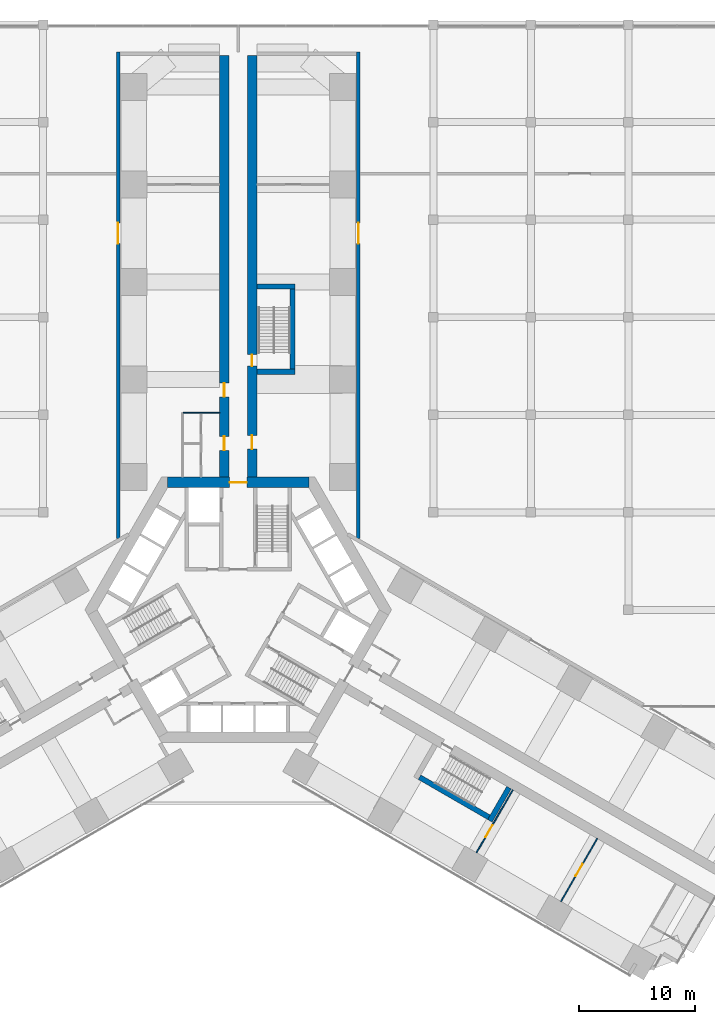
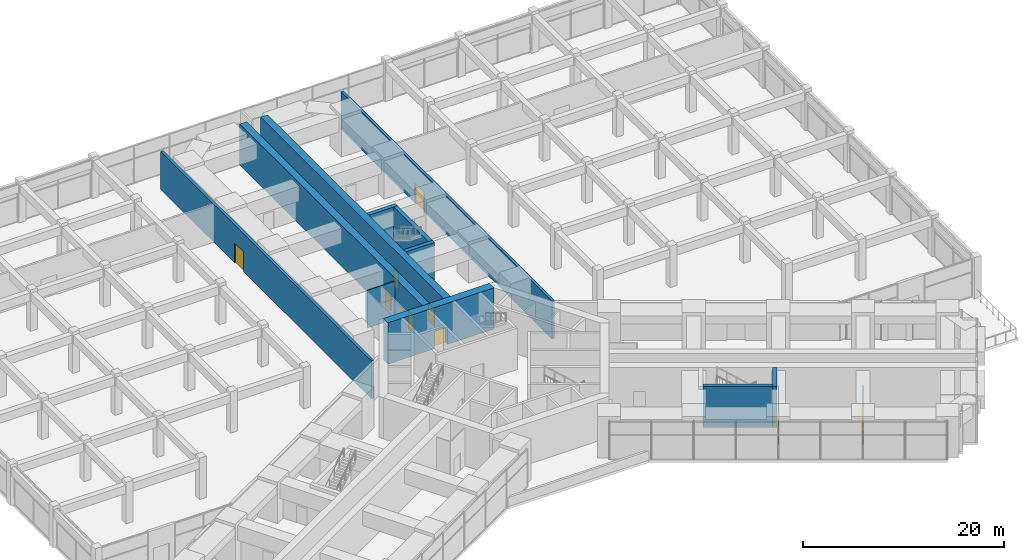
# One storey, part 29 of 33: 13 walls, 9 doors, 9 openings.
"""IFC4 building model written with IfcOpenShell, lengths in metres."""

from ifc_helpers import new_model, si_unit, direction, frame, frame_2d, origin, place, context, subcontext, project, spatial, rectangle, extrude, material, layer, layer_set, type_object, element, fill, save


model = new_model("IFC4")

# Units and contexts
model_context = context("Model", 3, precision=1e-05, world=origin(), true_north=direction((0.0, 1.0)))
body_context = subcontext(model_context, "Body", "Model", "MODEL_VIEW")
ifc_project = project(units=[si_unit("LENGTHUNIT", "METRE"), si_unit("AREAUNIT", "SQUARE_METRE"), si_unit("VOLUMEUNIT", "CUBIC_METRE"), si_unit("PLANEANGLEUNIT", "RADIAN"), si_unit("MASSUNIT", "GRAM", prefix="KILO")], contexts=[model_context])

# Site, building, storey
site_placement = place(None, origin())
site = spatial("IfcSite", under=ifc_project, at=site_placement, CompositionType="ELEMENT")
building_placement = place(site_placement, origin())
building = spatial("IfcBuilding", under=site, at=building_placement, Name="Impinga Residences", CompositionType="ELEMENT")
storey_placement = place(building_placement, frame((0.0, 0.0, 21.0)))
storey = spatial("IfcBuildingStorey", under=building, at=storey_placement, Name="L04", CompositionType="ELEMENT", Elevation=21.0)

# Wall, openings, doors
ifc_material_1 = material(Name="Concrete C70/85", Category="concrete")
ifc_layer_1 = layer(ifc_material_1, 0.800048828125)
ifc_layer_set_1 = layer_set([ifc_layer_1], Name="Concrete C70/85")
wall_type_1 = type_object("IfcWallType", Name="BW0 corridor buttress wall, B3 to L04 800", PredefinedType="SHEAR", material=ifc_layer_set_1)
wall_1_placement = place(storey_placement, frame((-1.199951171875, 10.9814453125, 0.0), z_axis=(0.0, 0.0, 1.0), x_axis=(0.0, 1.0, 0.0)))
wall_1 = element("IfcWall", 1, at=wall_1_placement, inside=storey, type_object=wall_type_1, Name="Corridor wall BW0 NC L04", PredefinedType="SHEAR", context=body_context, shape_type="SweptSolid", body=[
    extrude(rectangle(XDim=36.75, YDim=0.800048828125, at=frame_2d((18.375, 0.0))), origin(), (0.0, 0.0, 1.0), 5.0),
])
opening_1_placement = place(wall_1_placement, frame((2.75, 0.0, 0.0)))
opening_1 = element("IfcOpeningElement", 2, at=opening_1_placement, cuts=wall_1, Name="Opening D3", PredefinedType="OPENING", context=body_context, shape_type="SweptSolid", body=[
    extrude(rectangle(XDim=1.199951171875, YDim=2.10009765625, at=frame_2d((0.60009765625, 1.050048828125))), frame((0.0, 0.409912109375, 0.0), z_axis=(0.0, -1.0, 0.0), x_axis=(1.0, 0.0, 0.0)), (0.0, 0.0, 1.0), 0.820068359375),
])
opening_2_placement = place(wall_1_placement, frame((7.35009765625, 0.0, 0.0)))
opening_2 = element("IfcOpeningElement", 3, at=opening_2_placement, cuts=wall_1, Name="Opening D3", PredefinedType="OPENING", context=body_context, shape_type="SweptSolid", body=[
    extrude(rectangle(XDim=1.199951171875, YDim=2.10009765625, at=frame_2d((0.60009765625, 1.050048828125))), frame((0.0, 0.409912109375, 0.0), z_axis=(0.0, -1.0, 0.0), x_axis=(1.0, 0.0, 0.0)), (0.0, 0.0, 1.0), 0.820068359375),
])
ifc_material_2 = material(Name="Timber door set", Category="wood")
door_type_1 = type_object("IfcDoorType", Name="D3 room door, leaf and a half 1200x2100", OperationType="DOUBLE_SWING_LEFT", PredefinedType="DOOR", material=ifc_material_2)
door_1_placement = place(opening_1_placement, origin())
door_1 = element("IfcDoor", 4, at=door_1_placement, inside=storey, type_object=door_type_1, Name="WC lobby door L04-NA1", OperationType="DOUBLE_SWING_LEFT", OverallHeight=2.10009765625, OverallWidth=1.199951171875, PredefinedType="DOOR", context=body_context, shape_type="SweptSolid", body=[
    extrude(rectangle(XDim=1.199951171875, YDim=2.10009765625, at=frame_2d((0.60009765625, 1.050048828125))), frame((0.0, 0.02490234375, 0.0), z_axis=(0.0, -1.0, 0.0), x_axis=(1.0, 0.0, 0.0)), (0.0, 0.0, 1.0), 0.050048828125),
])
fill(opening_1, door_1)
door_2_placement = place(opening_2_placement, origin())
door_2 = element("IfcDoor", 5, at=door_2_placement, inside=storey, type_object=door_type_1, Name="Library lounge door L04-NA1", OperationType="DOUBLE_SWING_LEFT", OverallHeight=2.10009765625, OverallWidth=1.199951171875, PredefinedType="DOOR", context=body_context, shape_type="SweptSolid", body=[
    extrude(rectangle(XDim=1.199951171875, YDim=2.10009765625, at=frame_2d((0.60009765625, 1.050048828125))), frame((0.0, 0.02490234375, 0.0), z_axis=(0.0, -1.0, 0.0), x_axis=(1.0, 0.0, 0.0)), (0.0, 0.0, 1.0), 0.050048828125),
])
fill(opening_2, door_2)

wall_2_placement = place(storey_placement, frame((1.199951171875, 10.9814453125, 0.0), z_axis=(0.0, 0.0, 1.0), x_axis=(0.0, 1.0, 0.0)))
wall_2 = element("IfcWall", 6, at=wall_2_placement, inside=storey, type_object=wall_type_1, Name="Corridor wall BW0 ND L04", PredefinedType="SHEAR", context=body_context, shape_type="SweptSolid", body=[
    extrude(rectangle(XDim=36.75, YDim=0.800048828125, at=frame_2d((18.375, 0.0))), origin(), (0.0, 0.0, 1.0), 5.0),
])
opening_3_placement = place(wall_2_placement, frame((10.0, 0.0, 0.0)))
opening_3 = element("IfcOpeningElement", 7, at=opening_3_placement, cuts=wall_2, Name="Opening D5", PredefinedType="OPENING", context=body_context, shape_type="SweptSolid", body=[
    extrude(rectangle(XDim=1.0, YDim=2.10009765625, at=frame_2d((0.5, 1.050048828125))), frame((0.0, 0.409912109375, 0.0), z_axis=(0.0, -1.0, 0.0), x_axis=(1.0, 0.0, 0.0)), (0.0, 0.0, 1.0), 0.820068359375),
])
opening_4_placement = place(wall_2_placement, frame((2.85009765625, 0.0, 0.0)))
opening_4 = element("IfcOpeningElement", 8, at=opening_4_placement, cuts=wall_2, Name="Opening D3", PredefinedType="OPENING", context=body_context, shape_type="SweptSolid", body=[
    extrude(rectangle(XDim=1.199951171875, YDim=2.10009765625, at=frame_2d((0.60009765625, 1.050048828125))), frame((0.0, 0.409912109375, 0.0), z_axis=(0.0, -1.0, 0.0), x_axis=(1.0, 0.0, 0.0)), (0.0, 0.0, 1.0), 0.820068359375),
])
door_3_placement = place(opening_4_placement, origin())
door_3 = element("IfcDoor", 9, at=door_3_placement, inside=storey, type_object=door_type_1, Name="Studio door L04-NF1", OperationType="DOUBLE_SWING_LEFT", OverallHeight=2.10009765625, OverallWidth=1.199951171875, PredefinedType="DOOR", context=body_context, shape_type="SweptSolid", body=[
    extrude(rectangle(XDim=1.199951171875, YDim=2.10009765625, at=frame_2d((0.60009765625, 1.050048828125))), frame((0.0, 0.02490234375, 0.0), z_axis=(0.0, -1.0, 0.0), x_axis=(1.0, 0.0, 0.0)), (0.0, 0.0, 1.0), 0.050048828125),
])
fill(opening_4, door_3)
door_type_2 = type_object("IfcDoorType", Name="D5 stair door 1000x2100", OperationType="SINGLE_SWING_LEFT", PredefinedType="DOOR", material=ifc_material_2)
door_4_placement = place(opening_3_placement, origin())
door_4 = element("IfcDoor", 10, at=door_4_placement, inside=storey, type_object=door_type_2, Name="Wing stair door N", OperationType="SINGLE_SWING_LEFT", OverallHeight=2.10009765625, OverallWidth=1.0, PredefinedType="DOOR", context=body_context, shape_type="SweptSolid", body=[
    extrude(rectangle(XDim=1.0, YDim=2.10009765625, at=frame_2d((0.5, 1.050048828125))), frame((0.0, 0.02490234375, 0.0), z_axis=(0.0, -1.0, 0.0), x_axis=(1.0, 0.0, 0.0)), (0.0, 0.0, 1.0), 0.050048828125),
])
fill(opening_3, door_4)

# Wall, opening, door
ifc_material_3 = material(Name="Concrete blockwork", Category="masonry")
ifc_layer_2 = layer(ifc_material_3, 0.10009765625)
ifc_layer_set_2 = layer_set([ifc_layer_2], Name="CP1 core room partition, blockwork 100")
wall_type_2 = type_object("IfcWallType", Name="CP1 core room partition, blockwork 100", PredefinedType="PARTITIONING", material=ifc_layer_set_2)
wall_3_placement = place(storey_placement, frame((23.649169921875, -15.50146484375, 0.0), z_axis=(0.0, 0.0, 1.0), x_axis=(-0.500004234368, -0.866022959057, 0.0)))
wall_3 = element("IfcWall", 11, at=wall_3_placement, inside=storey, type_object=wall_type_2, Name="Core room partition, blockwork L04-EF1:PS1", PredefinedType="PARTITIONING", context=body_context, shape_type="SweptSolid", body=[
    extrude(rectangle(XDim=6.25, YDim=0.10009765625, at=frame_2d((3.125, 0.0))), origin(), (0.0, 0.0, 1.0), 2.800048828125),
])
opening_5_placement = place(wall_3_placement, frame((3.52490234375, 0.0, 0.0)))
opening_5 = element("IfcOpeningElement", 12, at=opening_5_placement, cuts=wall_3, Name="Opening D3", PredefinedType="OPENING", context=body_context, shape_type="SweptSolid", body=[
    extrude(rectangle(XDim=1.199951171875, YDim=2.10009765625, at=frame_2d((0.60009765625, 1.050048828125))), frame((0.0, 0.06005859375, 0.0), z_axis=(0.0, -1.0, 0.0), x_axis=(1.0, 0.0, 0.0)), (0.0, 0.0, 1.0), 0.1201171875),
])
door_5_placement = place(opening_5_placement, origin())
door_5 = element("IfcDoor", 13, at=door_5_placement, inside=storey, type_object=door_type_1, Name="Staff lockers door L04-EF1", OperationType="DOUBLE_SWING_LEFT", OverallHeight=2.10009765625, OverallWidth=1.199951171875, PredefinedType="DOOR", context=body_context, shape_type="SweptSolid", body=[
    extrude(rectangle(XDim=1.199951171875, YDim=2.10009765625, at=frame_2d((0.60009765625, 1.050048828125))), frame((0.0, 0.02490234375, 0.0), z_axis=(0.0, -1.0, 0.0), x_axis=(1.0, 0.0, 0.0)), (0.0, 0.0, 1.0), 0.050048828125),
])
fill(opening_5, door_5)

wall_4_placement = place(storey_placement, frame((30.923828125, -19.701416015625, 0.0), z_axis=(0.0, 0.0, 1.0), x_axis=(-0.500004234368, -0.866022959057, 0.0)))
wall_4 = element("IfcWall", 14, at=wall_4_placement, inside=storey, type_object=wall_type_2, Name="Core room partition, blockwork L04-EF1:PS2", PredefinedType="PARTITIONING", context=body_context, shape_type="SweptSolid", body=[
    extrude(rectangle(XDim=6.25, YDim=0.10009765625, at=frame_2d((3.125, 0.0))), origin(), (0.0, 0.0, 1.0), 2.800048828125),
])
opening_6_placement = place(wall_4_placement, frame((2.52490234375, 0.0, 0.0)))
opening_6 = element("IfcOpeningElement", 15, at=opening_6_placement, cuts=wall_4, Name="Opening D3", PredefinedType="OPENING", context=body_context, shape_type="SweptSolid", body=[
    extrude(rectangle(XDim=1.199951171875, YDim=2.10009765625, at=frame_2d((0.60009765625, 1.050048828125))), frame((0.0, 0.06005859375, 0.0), z_axis=(0.0, -1.0, 0.0), x_axis=(1.0, 0.0, 0.0)), (0.0, 0.0, 1.0), 0.1201171875),
])
door_6_placement = place(opening_6_placement, origin())
door_6 = element("IfcDoor", 16, at=door_6_placement, inside=storey, type_object=door_type_1, Name="Staff changing room door L04-EF1", OperationType="DOUBLE_SWING_LEFT", OverallHeight=2.10009765625, OverallWidth=1.199951171875, PredefinedType="DOOR", context=body_context, shape_type="SweptSolid", body=[
    extrude(rectangle(XDim=1.199951171875, YDim=2.10009765625, at=frame_2d((0.60009765625, 1.050048828125))), frame((0.0, 0.02490234375, 0.0), z_axis=(0.0, -1.0, 0.0), x_axis=(1.0, 0.0, 0.0)), (0.0, 0.0, 1.0), 0.050048828125),
])
fill(opening_6, door_6)

# Wall
ifc_material_4 = material(Name="Gypsum board on steel studs", Category="steel")
ifc_layer_3 = layer(ifc_material_4, 0.10009765625)
ifc_layer_set_3 = layer_set([ifc_layer_3], Name="Gypsum board on steel studs")
wall_type_3 = type_object("IfcWallType", Name="IP1 partition 100", PredefinedType="PARTITIONING", material=ifc_layer_set_3)
wall_5_placement = place(storey_placement, frame((-1.60009765625, 16.9814453125, 0.0), z_axis=(0.0, 0.0, 1.0), x_axis=(-1.0, 0.0, 0.0)))
element("IfcWall", 17, at=wall_5_placement, inside=storey, type_object=wall_type_3, Name="Partition L04-NA1:T3", PredefinedType="PARTITIONING", context=body_context, shape_type="SweptSolid", body=[
    extrude(rectangle(XDim=3.14990234375, YDim=0.10009765625, at=frame_2d((1.574951171875, 0.0))), origin(), (0.0, 0.0, 1.0), 4.60009765625),
])

# Wall, opening, door
ifc_layer_4 = layer(ifc_material_3, 0.300048828125)
ifc_layer_set_4 = layer_set([ifc_layer_4], Name="PW3 podium wall on the wing face 300")
wall_type_4 = type_object("IfcWallType", Name="PW3 podium wall on the wing face 300", PredefinedType="SOLIDWALL", material=ifc_layer_set_4)
wall_6_placement = place(storey_placement, frame((-10.35009765625, 6.148681640625, 0.0), z_axis=(0.0, 0.0, 1.0), x_axis=(0.0, 1.0, 0.0)))
wall_6 = element("IfcWall", 18, at=wall_6_placement, inside=storey, type_object=wall_type_4, Name="Podium wall on the wing face L04:SIDE:NA0", PredefinedType="SOLIDWALL", context=body_context, shape_type="SweptSolid", body=[
    extrude(rectangle(XDim=41.8828125, YDim=0.300048828125, at=frame_2d((20.94140625, 0.0))), origin(), (0.0, 0.0, 1.0), 4.60009765625),
])
opening_7_placement = place(wall_6_placement, frame((25.3828125, 0.0, 0.0)))
opening_7 = element("IfcOpeningElement", 19, at=opening_7_placement, cuts=wall_6, Name="Opening D7", PredefinedType="OPENING", context=body_context, shape_type="SweptSolid", body=[
    extrude(rectangle(XDim=1.800048828125, YDim=2.39990234375, at=frame_2d((0.89990234375, 1.199951171875))), frame((0.0, 0.159912109375, 0.0), z_axis=(0.0, -1.0, 0.0), x_axis=(1.0, 0.0, 0.0)), (0.0, 0.0, 1.0), 0.320068359375),
])
door_type_3 = type_object("IfcDoorType", Name="D7 podium door pair 1800x2400", OperationType="DOUBLE_DOOR_DOUBLE_SWING", PredefinedType="DOOR", material=ifc_material_2)
door_7_placement = place(opening_7_placement, origin())
door_7 = element("IfcDoor", 20, at=door_7_placement, inside=storey, type_object=door_type_3, Name="Double door NA", OperationType="DOUBLE_DOOR_DOUBLE_SWING", OverallHeight=2.39990234375, OverallWidth=1.800048828125, PredefinedType="DOOR", context=body_context, shape_type="SweptSolid", body=[
    extrude(rectangle(XDim=1.800048828125, YDim=2.39990234375, at=frame_2d((0.89990234375, 1.199951171875))), frame((0.0, 0.02490234375, 0.0), z_axis=(0.0, -1.0, 0.0), x_axis=(1.0, 0.0, 0.0)), (0.0, 0.0, 1.0), 0.050048828125),
])
fill(opening_7, door_7)

wall_7_placement = place(storey_placement, frame((10.35009765625, 6.148681640625, 0.0), z_axis=(0.0, 0.0, 1.0), x_axis=(0.0, 1.0, 0.0)))
wall_7 = element("IfcWall", 21, at=wall_7_placement, inside=storey, type_object=wall_type_4, Name="Podium wall on the wing face L04:SIDE:NF0", PredefinedType="SOLIDWALL", context=body_context, shape_type="SweptSolid", body=[
    extrude(rectangle(XDim=41.8828125, YDim=0.300048828125, at=frame_2d((20.94140625, 0.0))), origin(), (0.0, 0.0, 1.0), 4.60009765625),
])
opening_8_placement = place(wall_7_placement, frame((25.3828125, 0.0, 0.0)))
opening_8 = element("IfcOpeningElement", 22, at=opening_8_placement, cuts=wall_7, Name="Opening D7", PredefinedType="OPENING", context=body_context, shape_type="SweptSolid", body=[
    extrude(rectangle(XDim=1.800048828125, YDim=2.39990234375, at=frame_2d((0.89990234375, 1.199951171875))), frame((0.0, 0.159912109375, 0.0), z_axis=(0.0, -1.0, 0.0), x_axis=(1.0, 0.0, 0.0)), (0.0, 0.0, 1.0), 0.320068359375),
])
door_8_placement = place(opening_8_placement, origin())
door_8 = element("IfcDoor", 23, at=door_8_placement, inside=storey, type_object=door_type_3, Name="Double door NF", OperationType="DOUBLE_DOOR_DOUBLE_SWING", OverallHeight=2.39990234375, OverallWidth=1.800048828125, PredefinedType="DOOR", context=body_context, shape_type="SweptSolid", body=[
    extrude(rectangle(XDim=1.800048828125, YDim=2.39990234375, at=frame_2d((0.89990234375, 1.199951171875))), frame((0.0, 0.02490234375, 0.0), z_axis=(0.0, -1.0, 0.0), x_axis=(1.0, 0.0, 0.0)), (0.0, 0.0, 1.0), 0.050048828125),
])
fill(opening_8, door_8)

# Walls
ifc_material_5 = material(Name="Concrete C60/75", Category="concrete")
ifc_layer_5 = layer(ifc_material_5, 0.449951171875)
ifc_layer_set_5 = layer_set([ifc_layer_5], Name="Concrete C60/75")
wall_type_5 = type_object("IfcWallType", Name="SE2 wing stair enclosure wall, ground and podium storeys 450", PredefinedType="SOLIDWALL", material=ifc_layer_set_5)
for number, where, z_axis, x_axis, name in (
    (24, (1.60009765625, 20.506591796875, 0.0), (0.0, 0.0, 1.0), (1.0, 0.0, 0.0), "Stair enclosure wall SE2 N END0 L04"),
    (25, (1.60009765625, 27.8564453125, 0.0), (0.0, 0.0, 1.0), (1.0, 0.0, 0.0), "Stair enclosure wall SE2 N END1 L04"),
):
    element("IfcWall", number, at=place(storey_placement, frame(where, z_axis=z_axis, x_axis=x_axis)), inside=storey, type_object=wall_type_5, Name=name, PredefinedType="SOLIDWALL", context=body_context, shape_type="SweptSolid", body=[
        extrude(rectangle(XDim=3.2998046875, YDim=0.449951171875, at=frame_2d((1.64990234375, 0.0))), origin(), (0.0, 0.0, 1.0), 5.0),
    ])
wall_8_placement = place(storey_placement, frame((4.675048828125, 20.7314453125, 0.0), z_axis=(0.0, 0.0, 1.0), x_axis=(0.0, 1.0, 0.0)))
element("IfcWall", 26, at=wall_8_placement, inside=storey, type_object=wall_type_5, Name="Stair enclosure wall SE2 N OUT L04", PredefinedType="SOLIDWALL", context=body_context, shape_type="SweptSolid", body=[
    extrude(rectangle(XDim=6.900146484375, YDim=0.449951171875, at=frame_2d((3.4501953125, 0.0))), origin(), (0.0, 0.0, 1.0), 5.0),
])
wall_9_placement = place(storey_placement, frame((23.324462890625, -15.31396484375, 0.0), z_axis=(0.0, 0.0, 1.0), x_axis=(-0.499974350878, -0.866040211805, 0.0)))
element("IfcWall", 27, at=wall_9_placement, inside=storey, type_object=wall_type_5, Name="Stair enclosure wall SE2 E END1 L04", PredefinedType="SOLIDWALL", context=body_context, shape_type="SweptSolid", body=[
    extrude(rectangle(XDim=3.300048828125, YDim=0.449951171875, at=frame_2d((1.64990234375, 0.0))), origin(), (0.0, 0.0, 1.0), 5.0),
])
wall_10_placement = place(storey_placement, frame((15.616455078125, -14.41455078125, 0.0), z_axis=(0.0, 0.0, 1.0), x_axis=(0.866028853923, -0.499994024137, 0.0)))
element("IfcWall", 28, at=wall_10_placement, inside=storey, type_object=wall_type_5, Name="Stair enclosure wall SE2 E OUT L04", PredefinedType="SOLIDWALL", context=body_context, shape_type="SweptSolid", body=[
    extrude(rectangle(XDim=6.89990234375, YDim=0.449951171875, at=frame_2d((3.449951171875, 0.0))), origin(), (0.0, 0.0, 1.0), 5.0),
])

# Wall, opening, door
ifc_layer_6 = layer(ifc_material_1, 0.89990234375)
ifc_layer_set_6 = layer_set([ifc_layer_6], Name="Concrete C70/85")
wall_type_6 = type_object("IfcWallType", Name="SW1 core wall 900", PredefinedType="SHEAR", material=ifc_layer_set_6)
wall_11_placement = place(storey_placement, frame((-6.080322265625, 10.9814453125, 0.0), z_axis=(0.0, 0.0, 1.0), x_axis=(1.0, 0.0, 0.0)))
wall_11 = element("IfcWall", 29, at=wall_11_placement, inside=storey, type_object=wall_type_6, Name="Core wall SW1 N:FACE L04", PredefinedType="SHEAR", context=body_context, shape_type="SweptSolid", body=[
    extrude(rectangle(XDim=12.16064453125, YDim=0.89990234375, at=frame_2d((6.080322265625, 0.0))), origin(), (0.0, 0.0, 1.0), 5.0),
])
opening_9_placement = place(wall_11_placement, frame((5.330322265625, 0.0, 0.0)))
opening_9 = element("IfcOpeningElement", 30, at=opening_9_placement, cuts=wall_11, Name="Opening D4", PredefinedType="OPENING", context=body_context, shape_type="SweptSolid", body=[
    extrude(rectangle(XDim=1.5, YDim=2.10009765625, at=frame_2d((0.75, 1.050048828125))), frame((0.0, 0.4599609375, 0.0), z_axis=(0.0, -1.0, 0.0), x_axis=(1.0, 0.0, 0.0)), (0.0, 0.0, 1.0), 0.919921875),
])
door_type_4 = type_object("IfcDoorType", Name="D4 lobby door pair 1500x2100", OperationType="DOUBLE_DOOR_DOUBLE_SWING", PredefinedType="DOOR", material=ifc_material_2)
door_9_placement = place(opening_9_placement, origin())
door_9 = element("IfcDoor", 31, at=door_9_placement, inside=storey, type_object=door_type_4, Name="Lobby door N", OperationType="DOUBLE_DOOR_DOUBLE_SWING", OverallHeight=2.10009765625, OverallWidth=1.5, PredefinedType="DOOR", context=body_context, shape_type="SweptSolid", body=[
    extrude(rectangle(XDim=1.5, YDim=2.10009765625, at=frame_2d((0.75, 1.050048828125))), frame((0.0, 0.02490234375, 0.0), z_axis=(0.0, -1.0, 0.0), x_axis=(1.0, 0.0, 0.0)), (0.0, 0.0, 1.0), 0.050048828125),
])
fill(opening_9, door_9)

save(model, "model.ifc")
